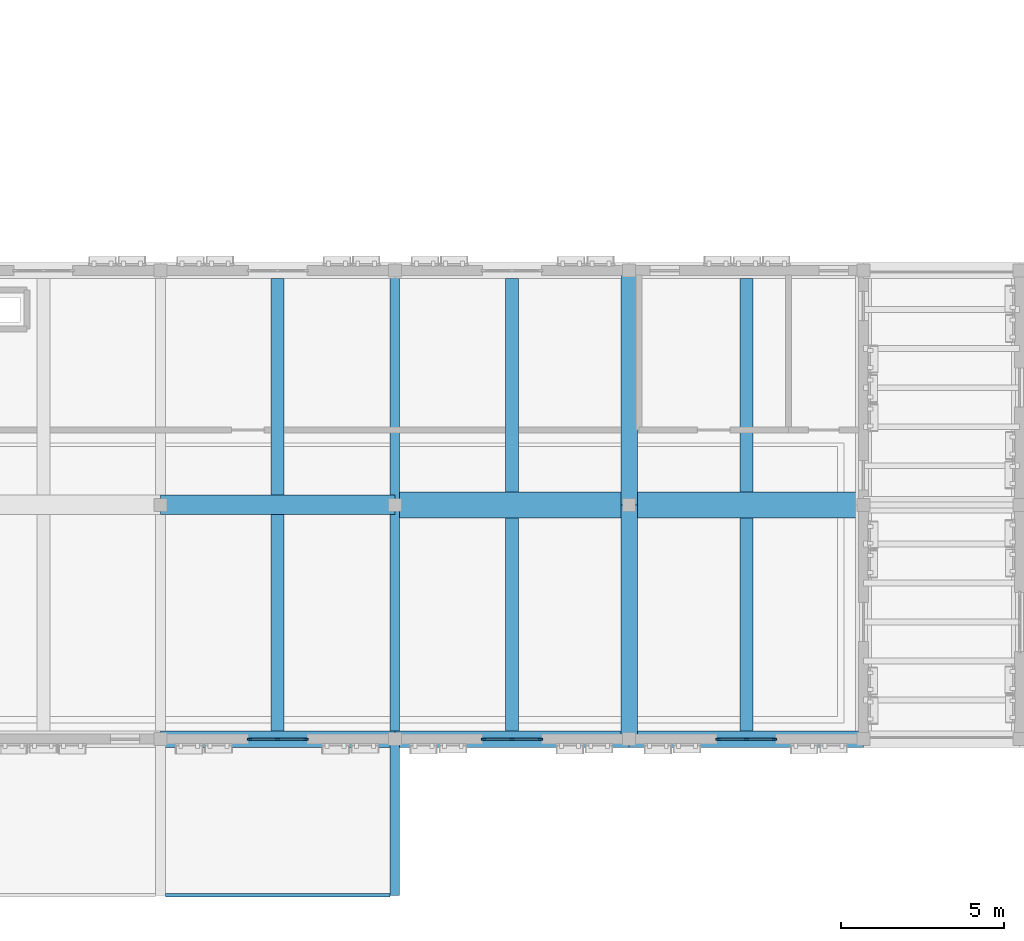
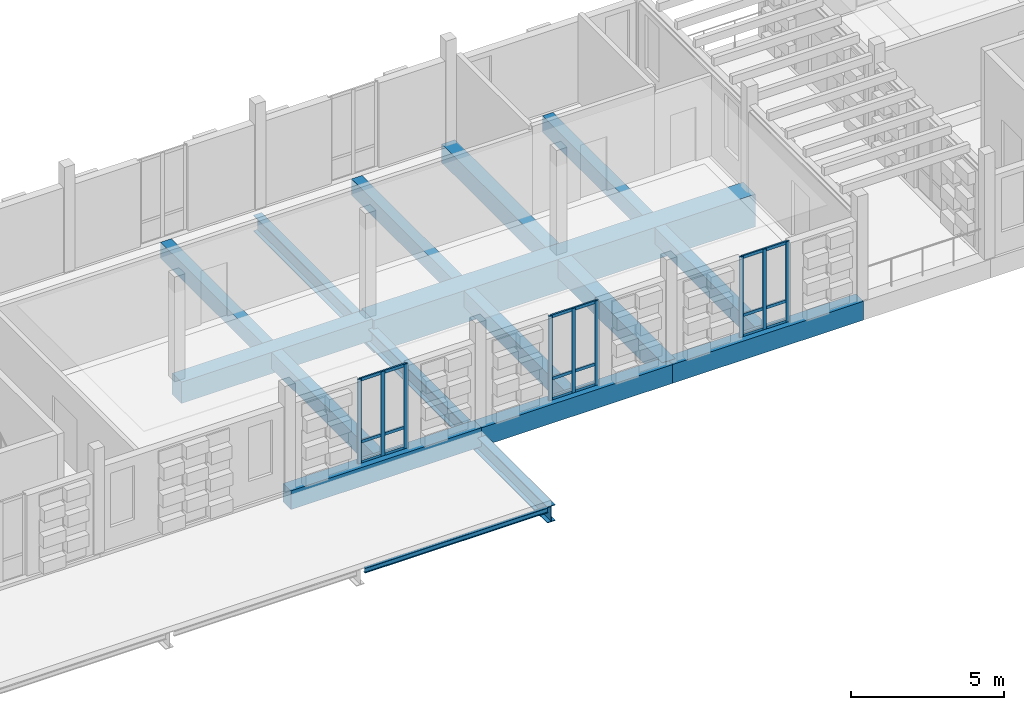
# One storey, part 21 of 99: 18 members, 16 beams, 3 elements without a shape of their own.
"""IFC4 building model written with IfcOpenShell, lengths in metres."""

from ifc_helpers import new_model, si_unit, direction, frame, origin, origin_2d, place, context, subcontext, project, spatial, rectangle, i_section, extrude, material, material_profile, profile_set, type_object, element, aggregate, save


model = new_model("IFC4")

# Units and contexts
model_context = context("Model", 3, precision=1e-05, world=origin(), true_north=direction((0.0, 1.0)))
body_context = subcontext(model_context, "Body", "Model", "MODEL_VIEW")
ifc_project = project(units=[si_unit("LENGTHUNIT", "METRE"), si_unit("AREAUNIT", "SQUARE_METRE"), si_unit("VOLUMEUNIT", "CUBIC_METRE"), si_unit("PLANEANGLEUNIT", "RADIAN"), si_unit("MASSUNIT", "GRAM", prefix="KILO")], contexts=[model_context])

# Site, building, storey
site_placement = place(None, origin())
site = spatial("IfcSite", under=ifc_project, at=site_placement, CompositionType="ELEMENT")
building_placement = place(site_placement, origin())
building = spatial("IfcBuilding", under=site, at=building_placement, Name="Kahlenmark Community Centre", CompositionType="ELEMENT")
storey_placement = place(building_placement, frame((0.0, 0.0, 5.39990234375)))
storey = spatial("IfcBuildingStorey", under=building, at=storey_placement, Name="L01", CompositionType="ELEMENT", Elevation=5.39990234375)

# Beams
ifc_material_1 = material(Name="Steel S355", Category="steel")
ifc_material_profile_1 = material_profile(ifc_material_1, i_section(OverallWidth=0.300048828125, OverallDepth=0.64990234375, WebThickness=0.01611328125, FlangeThickness=0.031005859375, at=origin_2d()), Name="HEB 650")
ifc_profile_set_1 = profile_set([ifc_material_profile_1], Name="Steel S355")
beam_type_1 = type_object("IfcBeamType", Name="BT-BEAM-HEB650", PredefinedType="BEAM", material=ifc_profile_set_1)
beam_1_placement = place(storey_placement, frame((72.39990234375, 4.0, -0.6748046875), z_axis=(0.0, 1.0, 0.0), x_axis=(-1.0, 0.0, 0.0)))
element("IfcBeam", 1, at=beam_1_placement, inside=storey, type_object=beam_type_1, Name="L01 beam BG-CAN650", PredefinedType="BEAM", context=body_context, shape_type="SweptSolid", body=[
    extrude(i_section(OverallWidth=0.300048828125, OverallDepth=0.64990234375, WebThickness=0.01611328125, FlangeThickness=0.031005859375, at=origin_2d()), origin(), (0.0, 0.0, 1.0), 4.800048828125),
])
beam_2_placement = place(storey_placement, frame((72.39990234375, 8.800048828125, -0.6748046875), z_axis=(0.0, 1.0, 0.0), x_axis=(-1.0, 0.0, 0.0)))
element("IfcBeam", 2, at=beam_2_placement, inside=storey, type_object=beam_type_1, Name="L01 beam BG-CAN650", PredefinedType="BEAM", context=body_context, shape_type="SweptSolid", body=[
    extrude(i_section(OverallWidth=0.300048828125, OverallDepth=0.64990234375, WebThickness=0.01611328125, FlangeThickness=0.031005859375, at=origin_2d()), origin(), (0.0, 0.0, 1.0), 14.39990234375),
])
ifc_material_2 = material(Name="Concrete C35/45", Category="concrete")
ifc_material_profile_2 = material_profile(ifc_material_2, rectangle(XDim=0.5, YDim=0.75, at=origin_2d()), Name="RC 500x750")
ifc_profile_set_2 = profile_set([ifc_material_profile_2], Name="Concrete C35/45")
beam_type_2 = type_object("IfcBeamType", Name="BT-BEAM-RC500x750", PredefinedType="BEAM", material=ifc_profile_set_2)
for number, where, z_axis, x_axis, name in (
    (3, (79.60009765625, 8.800048828125, -0.375), (0.0, 1.0, 0.0), (-1.0, 0.0, 0.0), "L01 beam BG-RC500x750"),
    (4, (79.60009765625, 16.0, -0.375), (0.0, 1.0, 0.0), (-1.0, 0.0, 0.0), "L01 beam BG-RC500x750"),
):
    element("IfcBeam", number, at=place(storey_placement, frame(where, z_axis=z_axis, x_axis=x_axis)), inside=storey, type_object=beam_type_2, Name=name, PredefinedType="BEAM", context=body_context, shape_type="SweptSolid", body=[
        extrude(rectangle(XDim=0.5, YDim=0.75, at=origin_2d()), origin(), (0.0, 0.0, 1.0), 7.199951171875),
    ])
ifc_material_profile_3 = material_profile(ifc_material_2, rectangle(XDim=0.60009765625, YDim=0.85009765625, at=origin_2d()), Name="RC 600x850")
ifc_profile_set_3 = profile_set([ifc_material_profile_3], Name="Concrete C35/45")
beam_type_3 = type_object("IfcBeamType", Name="BT-BEAM-RC600x850", PredefinedType="BEAM", material=ifc_profile_set_3)
beam_3_placement = place(storey_placement, frame((65.199951171875, 16.0, -0.4248046875), z_axis=(1.0, 0.0, 0.0), x_axis=(0.0, 1.0, 0.0)))
element("IfcBeam", 5, at=beam_3_placement, inside=storey, type_object=beam_type_3, Name="L01 beam BG-RC600x850", PredefinedType="BEAM", context=body_context, shape_type="SweptSolid", body=[
    extrude(rectangle(XDim=0.60009765625, YDim=0.85009765625, at=origin_2d()), origin(), (0.0, 0.0, 1.0), 7.199951171875),
])
ifc_material_profile_4 = material_profile(ifc_material_2, rectangle(XDim=0.800048828125, YDim=1.300048828125, at=origin_2d()), Name="RC 800x1300")
ifc_profile_set_4 = profile_set([ifc_material_profile_4], Name="Concrete C35/45")
beam_type_4 = type_object("IfcBeamType", Name="BT-BEAM-RC800x1300", PredefinedType="BEAM", material=ifc_profile_set_4)
beam_4_placement = place(storey_placement, frame((72.39990234375, 16.0, -0.64990234375), z_axis=(1.0, 0.0, 0.0), x_axis=(0.0, 1.0, 0.0)))
element("IfcBeam", 6, at=beam_4_placement, inside=storey, type_object=beam_type_4, Name="L01 beam TG-1", PredefinedType="BEAM", context=body_context, shape_type="SweptSolid", body=[
    extrude(rectangle(XDim=0.800048828125, YDim=1.300048828125, at=origin_2d()), origin(), (0.0, 0.0, 1.0), 14.400146484375),
])
ifc_material_profile_5 = material_profile(ifc_material_2, rectangle(XDim=0.39990234375, YDim=0.64990234375, at=origin_2d()), Name="RC 400x650")
ifc_profile_set_5 = profile_set([ifc_material_profile_5], Name="Concrete C35/45")
beam_type_5 = type_object("IfcBeamType", Name="BT-JOIST-RC400x650", PredefinedType="JOIST", material=ifc_profile_set_5)
for number, where, z_axis, x_axis, name in (
    (7, (68.800048828125, 9.048095703125, -0.324951171875), (0.0, 1.0, 0.0), (-1.0, 0.0, 0.0), "L01 joist BJ-RC400x650"),
    (8, (68.800048828125, 16.298095703125, -0.324951171875), (0.0, 1.0, 0.0), (-1.0, 0.0, 0.0), "L01 joist BJ-RC400x650"),
):
    element("IfcBeam", number, at=place(storey_placement, frame(where, z_axis=z_axis, x_axis=x_axis)), inside=storey, type_object=beam_type_5, Name=name, PredefinedType="JOIST", context=body_context, shape_type="SweptSolid", body=[
        extrude(rectangle(XDim=0.39990234375, YDim=0.64990234375, at=origin_2d()), origin(), (0.0, 0.0, 1.0), 6.65380859375),
    ])
for number, where, z_axis, x_axis, name in (
    (9, (76.0, 9.048095703125, -0.324951171875), (0.0, 1.0, 0.0), (-1.0, 0.0, 0.0), "L01 joist BJ-RC400x650"),
    (10, (76.0, 16.39794921875, -0.324951171875), (0.0, 1.0, 0.0), (-1.0, 0.0, 0.0), "L01 joist BJ-RC400x650"),
    (11, (83.199951171875, 9.048095703125, -0.324951171875), (0.0, 1.0, 0.0), (-1.0, 0.0, 0.0), "L01 joist BJ-RC400x650"),
    (12, (83.199951171875, 16.39794921875, -0.324951171875), (0.0, 1.0, 0.0), (-1.0, 0.0, 0.0), "L01 joist BJ-RC400x650"),
):
    element("IfcBeam", number, at=place(storey_placement, frame(where, z_axis=z_axis, x_axis=x_axis)), inside=storey, type_object=beam_type_5, Name=name, PredefinedType="JOIST", context=body_context, shape_type="SweptSolid", body=[
        extrude(rectangle(XDim=0.39990234375, YDim=0.64990234375, at=origin_2d()), origin(), (0.0, 0.0, 1.0), 6.553955078125),
    ])
ifc_material_profile_6 = material_profile(ifc_material_1, i_section(OverallWidth=0.10009765625, OverallDepth=0.199951171875, WebThickness=0.005615234375, FlangeThickness=0.008544921875, at=origin_2d()), Name="IPE 200")
ifc_profile_set_6 = profile_set([ifc_material_profile_6], Name="Steel S355")
beam_type_6 = type_object("IfcBeamType", Name="BT-SPANDREL-IPE200", PredefinedType="SPANDREL", material=ifc_profile_set_6)
beam_5_placement = place(storey_placement, frame((65.35009765625, 4.0, -0.449951171875), z_axis=(1.0, 0.0, 0.0), x_axis=(0.0, 1.0, 0.0)))
element("IfcBeam", 13, at=beam_5_placement, inside=storey, type_object=beam_type_6, Name="L01 spandrel SP-CAN200", PredefinedType="SPANDREL", context=body_context, shape_type="SweptSolid", body=[
    extrude(i_section(OverallWidth=0.10009765625, OverallDepth=0.199951171875, WebThickness=0.005615234375, FlangeThickness=0.008544921875, at=origin_2d()), origin(), (0.0, 0.0, 1.0), 6.89990234375),
])
ifc_material_profile_7 = material_profile(ifc_material_2, rectangle(XDim=0.5, YDim=0.75, at=origin_2d()), Name="RC 500x750")
ifc_profile_set_7 = profile_set([ifc_material_profile_7], Name="Concrete C35/45")
beam_type_7 = type_object("IfcBeamType", Name="BT-SPANDREL-RC500x750", PredefinedType="SPANDREL", material=ifc_profile_set_7)
beam_6_placement = place(storey_placement, frame((65.199951171875, 8.800048828125, -0.375), z_axis=(1.0, 0.0, 0.0), x_axis=(0.0, 1.0, 0.0)))
element("IfcBeam", 14, at=beam_6_placement, inside=storey, type_object=beam_type_7, Name="L01 spandrel SP-RC500x750", PredefinedType="SPANDREL", context=body_context, shape_type="SweptSolid", body=[
    extrude(rectangle(XDim=0.5, YDim=0.75, at=origin_2d()), origin(), (0.0, 0.0, 1.0), 7.199951171875),
])
beam_7_placement = place(storey_placement, frame((72.39990234375, 8.800048828125, -0.375), z_axis=(1.0, 0.0, 0.0), x_axis=(0.0, 1.0, 0.0)))
element("IfcBeam", 15, at=beam_7_placement, inside=storey, type_object=beam_type_7, Name="L01 spandrel SP-RC500x750", PredefinedType="SPANDREL", context=body_context, shape_type="SweptSolid", body=[
    extrude(rectangle(XDim=0.5, YDim=0.75, at=origin_2d()), origin(), (0.0, 0.0, 1.0), 7.2001953125),
])
beam_8_placement = place(storey_placement, frame((79.60009765625, 8.800048828125, -0.375), z_axis=(1.0, 0.0, 0.0), x_axis=(0.0, 1.0, 0.0)))
element("IfcBeam", 16, at=beam_8_placement, inside=storey, type_object=beam_type_7, Name="L01 spandrel SP-RC500x750", PredefinedType="SPANDREL", context=body_context, shape_type="SweptSolid", body=[
    extrude(rectangle(XDim=0.5, YDim=0.75, at=origin_2d()), origin(), (0.0, 0.0, 1.0), 7.199951171875),
])

# Curtain wall, members
ifc_material_3 = material(Name="Anodised aluminium unitised curtain wall", Category="aluminium")
curtain_wall_type_1 = type_object("IfcCurtainWallType", Name="CWT-UNIT-180X337", PredefinedType="USERDEFINED", material=ifc_material_3)
curtain_wall_1_placement = place(storey_placement, origin())
curtain_wall_1 = element("IfcCurtainWall", 17, at=curtain_wall_1_placement, inside=storey, type_object=curtain_wall_type_1, Name="Unitised curtain wall CW-020", ObjectType="UNITISED CURTAIN WALL", PredefinedType="USERDEFINED")
ifc_material_4 = material(Name="Anodised aluminium 6063-T6", Category="aluminium")
ifc_material_profile_8 = material_profile(ifc_material_4, rectangle(XDim=0.06005859375, YDim=0.139892578125, at=origin_2d()), Name="ALU MULLION 60x140")
ifc_profile_set_8 = profile_set([ifc_material_profile_8], Name="Anodised aluminium 6063-T6")
member_type_1 = type_object("IfcMemberType", Name="MT-MUL-140", PredefinedType="MULLION", material=ifc_profile_set_8)
member_1_placement = place(storey_placement, frame((67.929931640625, 8.800048828125, 0.0), z_axis=(0.0, 0.0, 1.0), x_axis=(0.0, 1.0, 0.0)))
member_1 = element("IfcMember", 18, at=member_1_placement, type_object=member_type_1, Name="CW-020 mullion 1", PredefinedType="MULLION", context=body_context, shape_type="SweptSolid", body=[
    extrude(rectangle(XDim=0.06005859375, YDim=0.139892578125, at=origin_2d()), origin(), (0.0, 0.0, 1.0), 3.3701171875),
])
member_2_placement = place(storey_placement, frame((68.800048828125, 8.800048828125, 0.0), z_axis=(0.0, 0.0, 1.0), x_axis=(0.0, 1.0, 0.0)))
member_2 = element("IfcMember", 19, at=member_2_placement, type_object=member_type_1, Name="CW-020 mullion 2", PredefinedType="MULLION", context=body_context, shape_type="SweptSolid", body=[
    extrude(rectangle(XDim=0.06005859375, YDim=0.139892578125, at=origin_2d()), origin(), (0.0, 0.0, 1.0), 3.3701171875),
])
member_3_placement = place(storey_placement, frame((69.669921875, 8.800048828125, 0.0), z_axis=(0.0, 0.0, 1.0), x_axis=(0.0, 1.0, 0.0)))
member_3 = element("IfcMember", 20, at=member_3_placement, type_object=member_type_1, Name="CW-020 mullion 3", PredefinedType="MULLION", context=body_context, shape_type="SweptSolid", body=[
    extrude(rectangle(XDim=0.06005859375, YDim=0.139892578125, at=origin_2d()), origin(), (0.0, 0.0, 1.0), 3.3701171875),
])

curtain_wall_2_placement = place(storey_placement, origin())
curtain_wall_2 = element("IfcCurtainWall", 21, at=curtain_wall_2_placement, inside=storey, type_object=curtain_wall_type_1, Name="Unitised curtain wall CW-021", ObjectType="UNITISED CURTAIN WALL", PredefinedType="USERDEFINED")
member_4_placement = place(storey_placement, frame((75.1298828125, 8.800048828125, 0.0), z_axis=(0.0, 0.0, 1.0), x_axis=(0.0, 1.0, 0.0)))
member_4 = element("IfcMember", 22, at=member_4_placement, type_object=member_type_1, Name="CW-021 mullion 1", PredefinedType="MULLION", context=body_context, shape_type="SweptSolid", body=[
    extrude(rectangle(XDim=0.06005859375, YDim=0.139892578125, at=origin_2d()), origin(), (0.0, 0.0, 1.0), 3.3701171875),
])
member_5_placement = place(storey_placement, frame((76.0, 8.800048828125, 0.0), z_axis=(0.0, 0.0, 1.0), x_axis=(0.0, 1.0, 0.0)))
member_5 = element("IfcMember", 23, at=member_5_placement, type_object=member_type_1, Name="CW-021 mullion 2", PredefinedType="MULLION", context=body_context, shape_type="SweptSolid", body=[
    extrude(rectangle(XDim=0.06005859375, YDim=0.139892578125, at=origin_2d()), origin(), (0.0, 0.0, 1.0), 3.3701171875),
])
member_6_placement = place(storey_placement, frame((76.8701171875, 8.800048828125, 0.0), z_axis=(0.0, 0.0, 1.0), x_axis=(0.0, 1.0, 0.0)))
member_6 = element("IfcMember", 24, at=member_6_placement, type_object=member_type_1, Name="CW-021 mullion 3", PredefinedType="MULLION", context=body_context, shape_type="SweptSolid", body=[
    extrude(rectangle(XDim=0.06005859375, YDim=0.139892578125, at=origin_2d()), origin(), (0.0, 0.0, 1.0), 3.3701171875),
])

curtain_wall_type_2 = type_object("IfcCurtainWallType", Name="CWT-UNIT-180X321", PredefinedType="USERDEFINED", material=ifc_material_3)
curtain_wall_3_placement = place(storey_placement, origin())
curtain_wall_3 = element("IfcCurtainWall", 25, at=curtain_wall_3_placement, inside=storey, type_object=curtain_wall_type_2, Name="Unitised curtain wall CW-022", ObjectType="UNITISED CURTAIN WALL", PredefinedType="USERDEFINED")
member_7_placement = place(storey_placement, frame((82.330078125, 8.800048828125, 0.0), z_axis=(0.0, 0.0, 1.0), x_axis=(0.0, 1.0, 0.0)))
member_7 = element("IfcMember", 26, at=member_7_placement, type_object=member_type_1, Name="CW-022 mullion 1", PredefinedType="MULLION", context=body_context, shape_type="SweptSolid", body=[
    extrude(rectangle(XDim=0.06005859375, YDim=0.139892578125, at=origin_2d()), origin(), (0.0, 0.0, 1.0), 3.210205078125),
])
member_8_placement = place(storey_placement, frame((83.199951171875, 8.800048828125, 0.0), z_axis=(0.0, 0.0, 1.0), x_axis=(0.0, 1.0, 0.0)))
member_8 = element("IfcMember", 27, at=member_8_placement, type_object=member_type_1, Name="CW-022 mullion 2", PredefinedType="MULLION", context=body_context, shape_type="SweptSolid", body=[
    extrude(rectangle(XDim=0.06005859375, YDim=0.139892578125, at=origin_2d()), origin(), (0.0, 0.0, 1.0), 3.210205078125),
])
member_9_placement = place(storey_placement, frame((84.070068359375, 8.800048828125, 0.0), z_axis=(0.0, 0.0, 1.0), x_axis=(0.0, 1.0, 0.0)))
member_9 = element("IfcMember", 28, at=member_9_placement, type_object=member_type_1, Name="CW-022 mullion 3", PredefinedType="MULLION", context=body_context, shape_type="SweptSolid", body=[
    extrude(rectangle(XDim=0.06005859375, YDim=0.139892578125, at=origin_2d()), origin(), (0.0, 0.0, 1.0), 3.210205078125),
])

# Member
ifc_material_profile_9 = material_profile(ifc_material_4, rectangle(XDim=0.06005859375, YDim=0.1201171875, at=origin_2d()), Name="ALU TRANSOM 60x120")
ifc_profile_set_9 = profile_set([ifc_material_profile_9], Name="Anodised aluminium 6063-T6")
member_type_2 = type_object("IfcMemberType", Name="MT-TRN-120", PredefinedType="USERDEFINED", material=ifc_profile_set_9)
member_10_placement = place(storey_placement, frame((67.929931640625, 8.800048828125, 0.0400390625), z_axis=(1.0, 0.0, 0.0), x_axis=(0.0, 1.0, 0.0)))
member_10 = element("IfcMember", 29, at=member_10_placement, type_object=member_type_2, Name="CW-020 transom 1", ObjectType="TRANSOM", PredefinedType="USERDEFINED", context=body_context, shape_type="SweptSolid", body=[
    extrude(rectangle(XDim=0.06005859375, YDim=0.1201171875, at=origin_2d()), origin(), (0.0, 0.0, 1.0), 1.739990234375),
])

member_11_placement = place(storey_placement, frame((67.929931640625, 8.800048828125, 0.85009765625), z_axis=(1.0, 0.0, 0.0), x_axis=(0.0, 1.0, 0.0)))
member_11 = element("IfcMember", 30, at=member_11_placement, type_object=member_type_2, Name="CW-020 transom 2", ObjectType="TRANSOM", PredefinedType="USERDEFINED", context=body_context, shape_type="SweptSolid", body=[
    extrude(rectangle(XDim=0.06005859375, YDim=0.1201171875, at=origin_2d()), origin(), (0.0, 0.0, 1.0), 1.739990234375),
])

member_12_placement = place(storey_placement, frame((67.929931640625, 8.800048828125, 3.330078125), z_axis=(1.0, 0.0, 0.0), x_axis=(0.0, 1.0, 0.0)))
member_12 = element("IfcMember", 31, at=member_12_placement, type_object=member_type_2, Name="CW-020 transom 3", ObjectType="TRANSOM", PredefinedType="USERDEFINED", context=body_context, shape_type="SweptSolid", body=[
    extrude(rectangle(XDim=0.06005859375, YDim=0.1201171875, at=origin_2d()), origin(), (0.0, 0.0, 1.0), 1.739990234375),
])

aggregate(curtain_wall_1, [member_1, member_2, member_3, member_10, member_11, member_12])

member_13_placement = place(storey_placement, frame((75.1298828125, 8.800048828125, 0.0400390625), z_axis=(1.0, 0.0, 0.0), x_axis=(0.0, 1.0, 0.0)))
member_13 = element("IfcMember", 32, at=member_13_placement, type_object=member_type_2, Name="CW-021 transom 1", ObjectType="TRANSOM", PredefinedType="USERDEFINED", context=body_context, shape_type="SweptSolid", body=[
    extrude(rectangle(XDim=0.06005859375, YDim=0.1201171875, at=origin_2d()), origin(), (0.0, 0.0, 1.0), 1.740234375),
])

member_14_placement = place(storey_placement, frame((75.1298828125, 8.800048828125, 0.85009765625), z_axis=(1.0, 0.0, 0.0), x_axis=(0.0, 1.0, 0.0)))
member_14 = element("IfcMember", 33, at=member_14_placement, type_object=member_type_2, Name="CW-021 transom 2", ObjectType="TRANSOM", PredefinedType="USERDEFINED", context=body_context, shape_type="SweptSolid", body=[
    extrude(rectangle(XDim=0.06005859375, YDim=0.1201171875, at=origin_2d()), origin(), (0.0, 0.0, 1.0), 1.740234375),
])

member_15_placement = place(storey_placement, frame((75.1298828125, 8.800048828125, 3.330078125), z_axis=(1.0, 0.0, 0.0), x_axis=(0.0, 1.0, 0.0)))
member_15 = element("IfcMember", 34, at=member_15_placement, type_object=member_type_2, Name="CW-021 transom 3", ObjectType="TRANSOM", PredefinedType="USERDEFINED", context=body_context, shape_type="SweptSolid", body=[
    extrude(rectangle(XDim=0.06005859375, YDim=0.1201171875, at=origin_2d()), origin(), (0.0, 0.0, 1.0), 1.740234375),
])

aggregate(curtain_wall_2, [member_4, member_5, member_6, member_13, member_14, member_15])

member_16_placement = place(storey_placement, frame((82.330078125, 8.800048828125, 0.0400390625), z_axis=(1.0, 0.0, 0.0), x_axis=(0.0, 1.0, 0.0)))
member_16 = element("IfcMember", 35, at=member_16_placement, type_object=member_type_2, Name="CW-022 transom 1", ObjectType="TRANSOM", PredefinedType="USERDEFINED", context=body_context, shape_type="SweptSolid", body=[
    extrude(rectangle(XDim=0.06005859375, YDim=0.1201171875, at=origin_2d()), origin(), (0.0, 0.0, 1.0), 1.739990234375),
])

member_17_placement = place(storey_placement, frame((82.330078125, 8.800048828125, 0.85009765625), z_axis=(1.0, 0.0, 0.0), x_axis=(0.0, 1.0, 0.0)))
member_17 = element("IfcMember", 36, at=member_17_placement, type_object=member_type_2, Name="CW-022 transom 2", ObjectType="TRANSOM", PredefinedType="USERDEFINED", context=body_context, shape_type="SweptSolid", body=[
    extrude(rectangle(XDim=0.06005859375, YDim=0.1201171875, at=origin_2d()), origin(), (0.0, 0.0, 1.0), 1.739990234375),
])

member_18_placement = place(storey_placement, frame((82.330078125, 8.800048828125, 3.170166015625), z_axis=(1.0, 0.0, 0.0), x_axis=(0.0, 1.0, 0.0)))
member_18 = element("IfcMember", 37, at=member_18_placement, type_object=member_type_2, Name="CW-022 transom 3", ObjectType="TRANSOM", PredefinedType="USERDEFINED", context=body_context, shape_type="SweptSolid", body=[
    extrude(rectangle(XDim=0.06005859375, YDim=0.1201171875, at=origin_2d()), origin(), (0.0, 0.0, 1.0), 1.739990234375),
])

aggregate(curtain_wall_3, [member_7, member_8, member_9, member_16, member_17, member_18])

save(model, "model.ifc")
